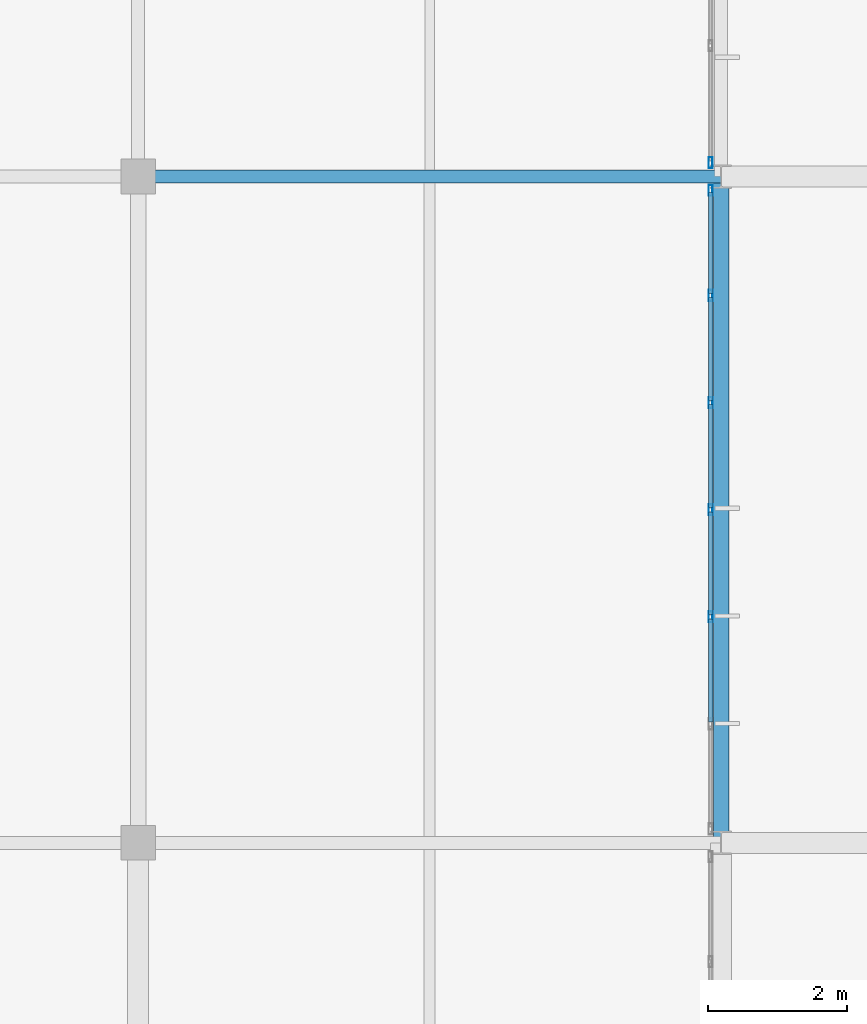
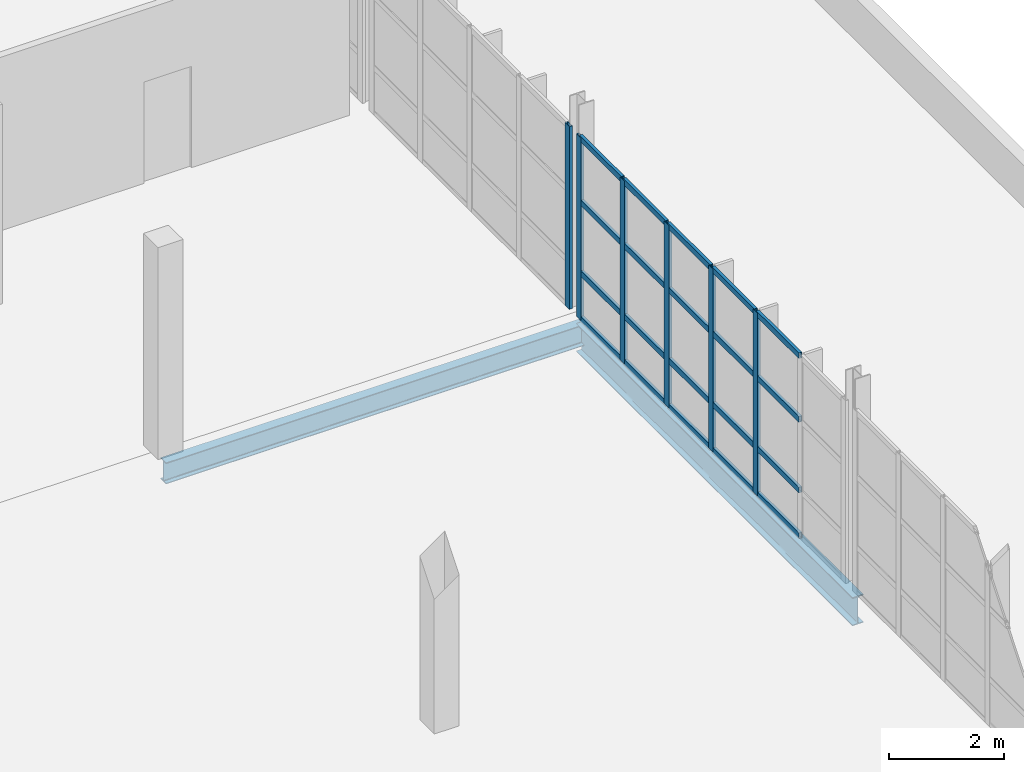
# One storey, part 74 of 103: 26 members, 2 beams, 2 elements without a shape of their own.
"""IFC4 building model written with IfcOpenShell, lengths in metres."""

import ifcopenshell
import ifcopenshell.guid

model = None  # the IFC model being written
_history = None  # IfcOwnerHistory: only IFC2X3 demands one
_inside = {}  # id of a spatial element -> (the spatial element, [elements in it])
_under = {}  # id of a project, library or spatial element -> (it, [spatial elements below it])
_declared = {}  # id of a project -> (the project, [libraries it declares])
_typed = {}  # id of a type object -> (the type object, [elements of that type])
_made_of = {}  # id of a material, layer set ... -> (it, [elements and type objects made of it])


def new_model(schema):
    """Start an empty IFC model of exactly this schema.

    Asked for "IFC4X3", IfcOpenShell would pick the latest addendum, in which some entities
    have other attributes; the version numbers below select the first issue.
    IFC2X3 requires an IfcOwnerHistory on every rooted entity: one is made here for all.
    """
    global model, _history
    if schema == "IFC4X3":
        model = ifcopenshell.file(schema_version=(4, 3, 0, 0))
    else:
        model = ifcopenshell.file(schema=schema)
    _inside.clear()
    _under.clear()
    _declared.clear()
    _typed.clear()
    _made_of.clear()
    _history = None
    if model.schema == "IFC2X3":
        org = make("IfcOrganization", Name="unknown")
        user = make(
            "IfcPersonAndOrganization",
            ThePerson=make("IfcPerson", FamilyName="unknown"),
            TheOrganization=org,
        )
        app = make(
            "IfcApplication",
            ApplicationDeveloper=org,
            Version="unknown",
            ApplicationFullName="unknown",
            ApplicationIdentifier="unknown",
        )
        _history = make(
            "IfcOwnerHistory",
            OwningUser=user,
            OwningApplication=app,
            ChangeAction="ADDED",
            CreationDate=0,
        )
    return model


def make(cls, **values):
    """One entity of the class cls with the attributes given. An attribute that is None is left unset."""
    return model.create_entity(
        cls, **{name: value for name, value in values.items() if value is not None}
    )


def rooted(cls, **values):
    """An entity with a GlobalId (a new one), such as an element, a storey or a relation."""
    return make(cls, GlobalId=ifcopenshell.guid.new(), OwnerHistory=_history, **values)


def si_unit(unit_type, name, prefix=None):
    """IfcSIUnit, for example si_unit("LENGTHUNIT", "METRE", prefix="MILLI")."""
    return make("IfcSIUnit", UnitType=unit_type, Prefix=prefix, Name=name)


def assignment(units):
    """IfcUnitAssignment: the units of a project."""
    return None if units is None else make("IfcUnitAssignment", Units=units)


def point(xyz):
    """IfcCartesianPoint."""
    return None if xyz is None else make("IfcCartesianPoint", Coordinates=xyz)


def direction(xyz):
    """IfcDirection."""
    return None if xyz is None else make("IfcDirection", DirectionRatios=xyz)


def frame(location, z_axis=None, x_axis=None):
    """IfcAxis2Placement3D, a coordinate frame: its origin and axes. An axis left out is left unset."""
    return make(
        "IfcAxis2Placement3D",
        Location=point(location),
        Axis=direction(z_axis),
        RefDirection=direction(x_axis),
    )


def frame_2d(location, x_axis=None):
    """IfcAxis2Placement2D, a coordinate frame in the plane: its origin and x axis."""
    return make(
        "IfcAxis2Placement2D", Location=point(location), RefDirection=direction(x_axis)
    )


def origin():
    """The frame at (0, 0, 0) with its axes left unset."""
    return frame((0.0, 0.0, 0.0))


def origin_2d():
    """The frame at (0, 0) in the plane with its x axis left unset."""
    return frame_2d((0.0, 0.0))


def place(relative_to, where):
    """IfcLocalPlacement: puts the frame where relative to a parent placement (None: the world)."""
    return make(
        "IfcLocalPlacement", PlacementRelTo=relative_to, RelativePlacement=where
    )


def context(
    kind, dimensions, precision=None, world=None, true_north=None, identifier=None
):
    """IfcGeometricRepresentationContext, for example the 3D "Model" context."""
    return make(
        "IfcGeometricRepresentationContext",
        ContextIdentifier=identifier,
        ContextType=kind,
        CoordinateSpaceDimension=dimensions,
        Precision=precision,
        WorldCoordinateSystem=world,
        TrueNorth=true_north,
    )


def subcontext(parent, identifier, kind, view, scale=None):
    """IfcGeometricRepresentationSubContext, for example "Body" below "Model"."""
    return make(
        "IfcGeometricRepresentationSubContext",
        ContextIdentifier=identifier,
        ContextType=kind,
        ParentContext=parent,
        TargetScale=scale,
        TargetView=view,
    )


def project(units=None, contexts=None):
    """IfcProject with its units and contexts."""
    return rooted(
        "IfcProject",
        Name="project",
        RepresentationContexts=contexts,
        UnitsInContext=assignment(units),
    )


def spatial(cls, under=None, at=None, **own):
    """A site, building, storey or space (cls), placed at a placement, below another one or the project."""
    s = rooted(cls, ObjectPlacement=at, **own)
    if under is not None:
        _under.setdefault(under.id(), (under, []))[1].append(s)
    return s


def profile(cls, at=None, kind="AREA", **sizes):
    """A parametric profile (cls). Its sizes go by their IFC names, for example OverallWidth=200.0."""
    return make(cls, ProfileType=kind, Position=at, **sizes)


def hollow_rectangle(**sizes):
    """IfcRectangleHollowProfileDef."""
    return profile("IfcRectangleHollowProfileDef", **sizes)


def i_section(**sizes):
    """IfcIShapeProfileDef."""
    return profile("IfcIShapeProfileDef", **sizes)


def extrude(swept, where, along, depth):
    """IfcExtrudedAreaSolid: the profile swept, set in the frame where, extruded along a direction by depth."""
    return make(
        "IfcExtrudedAreaSolid",
        SweptArea=swept,
        Position=where,
        ExtrudedDirection=direction(along),
        Depth=depth,
    )


def shape(context_of_items, identifier, shape_type, items):
    """IfcShapeRepresentation: the items that make up one representation, for example the "Body"."""
    return make(
        "IfcShapeRepresentation",
        ContextOfItems=context_of_items,
        RepresentationIdentifier=identifier,
        RepresentationType=shape_type,
        Items=items,
    )


def material(Name=None, Category=None):
    """IfcMaterial."""
    return make("IfcMaterial", Name=Name, Category=Category)


def material_profile(
    of_material, cross_section, Name=None, Category=None, Priority=None
):
    """IfcMaterialProfile: a cross section and its material."""
    return make(
        "IfcMaterialProfile",
        Name=Name,
        Material=of_material,
        Profile=cross_section,
        Priority=Priority,
        Category=Category,
    )


def profile_set(profiles, Name=None, composite=None):
    """IfcMaterialProfileSet."""
    return make(
        "IfcMaterialProfileSet",
        Name=Name,
        MaterialProfiles=profiles,
        CompositeProfile=composite,
    )


def made_of(thing, what):
    """Note that an element or type object is made of a material, layer set ...; save() writes the relation."""
    if what is not None:
        _made_of.setdefault(what.id(), (what, []))[1].append(thing)
    return thing


def type_object(cls, material=None, **own):
    """A type object (cls), such as IfcWallType, which elements share."""
    return made_of(rooted(cls, **own), material)


def element(
    cls,
    number,
    at=None,
    inside=None,
    cuts=None,
    type_object=None,
    material=None,
    context=None,
    identifier="Body",
    shape_type=None,
    held_by="IfcProductDefinitionShape",
    body=None,
    shapes=None,
    **own,
):
    """One element of the class cls, such as IfcWall. Its Tag is "e" and its number.

    at: its placement. inside: the storey or other place that contains it. cuts: it is an
    opening in that element (IfcRelVoidsElement). A single representation is given by context,
    identifier, shape_type and body (its items); several are given by shapes. held_by: the class
    of the entity that holds the representations. save() writes the other relations.
    """
    e = rooted(cls, Tag="e%d" % number, ObjectPlacement=at, **own)
    if body is not None:
        shapes = [shape(context, identifier, shape_type, body)]
    if shapes is not None:
        e.Representation = make(held_by, Representations=shapes)
    if inside is not None:
        _inside.setdefault(inside.id(), (inside, []))[1].append(e)
    if cuts is not None:
        rooted(
            "IfcRelVoidsElement", RelatingBuildingElement=cuts, RelatedOpeningElement=e
        )
    if type_object is not None:
        _typed.setdefault(type_object.id(), (type_object, []))[1].append(e)
    return made_of(e, material)


def aggregate(whole, parts):
    """IfcRelAggregates: a whole, such as a stair, and the parts it consists of."""
    return rooted("IfcRelAggregates", RelatingObject=whole, RelatedObjects=parts)


def save(model, path):
    """Write the relations noted so far, then the file.

    IfcRelAggregates (storeys below a building ...), IfcRelContainedInSpatialStructure (elements
    in a storey), IfcRelDefinesByType, IfcRelAssociatesMaterial and IfcRelDeclares: one each for
    every whole, place, type object, material and project.
    """
    for whole, parts in _under.values():
        aggregate(whole, parts)
    for where, things in _inside.values():
        rooted(
            "IfcRelContainedInSpatialStructure",
            RelatedElements=things,
            RelatingStructure=where,
        )
    for kind, things in _typed.values():
        rooted("IfcRelDefinesByType", RelatedObjects=things, RelatingType=kind)
    for what, things in _made_of.values():
        rooted("IfcRelAssociatesMaterial", RelatedObjects=things, RelatingMaterial=what)
    for by, libraries in _declared.values():
        rooted("IfcRelDeclares", RelatingContext=by, RelatedDefinitions=libraries)
    model.write(path)


model = new_model("IFC4")

# Units and contexts
model_context = context("Model", 3, precision=1e-05, world=origin(), true_north=direction((0.0, 1.0)))
body_context = subcontext(model_context, "Body", "Model", "MODEL_VIEW")
ifc_project = project(units=[si_unit("LENGTHUNIT", "METRE"), si_unit("AREAUNIT", "SQUARE_METRE"), si_unit("VOLUMEUNIT", "CUBIC_METRE"), si_unit("PLANEANGLEUNIT", "RADIAN"), si_unit("MASSUNIT", "GRAM", prefix="KILO")], contexts=[model_context])

# Site, building, storey
site_placement = place(None, origin())
site = spatial("IfcSite", under=ifc_project, at=site_placement, CompositionType="ELEMENT")
building_placement = place(site_placement, origin())
building = spatial("IfcBuilding", under=site, at=building_placement, Name="Veltarok Museum of Natural Sciences", CompositionType="ELEMENT")
storey_placement = place(building_placement, frame((0.0, 0.0, 21.89990234375)))
storey = spatial("IfcBuildingStorey", under=building, at=storey_placement, Name="L04", CompositionType="ELEMENT", Elevation=21.89990234375)

# Curtain wall, members
ifc_material_1 = material(Name="Low-iron triple insulated glass", Category="glass")
curtain_wall_type_1 = type_object("IfcCurtainWallType", Name="Curtain Wall System CW-V5E-L04-B-926x388 (V5 East Lab L04 B-C 926x388cm)", PredefinedType="NOTDEFINED", material=ifc_material_1)
curtain_wall_1_placement = place(storey_placement, origin())
curtain_wall_1 = element("IfcCurtainWall", 1, at=curtain_wall_1_placement, inside=storey, type_object=curtain_wall_type_1, Name="Curtain Wall CW-V5E-L04-B-926x388 CW-0121", PredefinedType="NOTDEFINED")
ifc_material_2 = material(Name="Thermally broken anodised aluminium", Category="aluminium")
ifc_material_profile_1 = material_profile(ifc_material_2, hollow_rectangle(XDim=0.06005859375, YDim=0.1201171875, WallThickness=0.0048828125, at=origin_2d()), Name="CW TRANSOM 60x120x5")
ifc_profile_set_1 = profile_set([ifc_material_profile_1], Name="Thermally broken anodised aluminium")
member_type_1 = type_object("IfcMemberType", Name="Curtain Wall Horizontal Transom 60x120x5", PredefinedType="USERDEFINED", material=ifc_profile_set_1)
member_1_placement = place(storey_placement, frame((149.050048828125, 11.34326171875, 0.030029296875), z_axis=(0.0, 1.0, 0.0), x_axis=(-1.0, 0.0, 0.0)))
member_1 = element("IfcMember", 2, at=member_1_placement, type_object=member_type_1, Name="CW-V5E-L04-B-926x388 transom 2.1", ObjectType="TRANSOM", PredefinedType="USERDEFINED", context=body_context, shape_type="SweptSolid", body=[
    extrude(hollow_rectangle(XDim=0.06005859375, YDim=0.1201171875, WallThickness=0.0048828125, at=origin_2d()), origin(), (0.0, 0.0, 1.0), 1.4833984375),
])
member_2_placement = place(storey_placement, frame((149.050048828125, 11.34326171875, 1.0), z_axis=(0.0, 1.0, 0.0), x_axis=(-1.0, 0.0, 0.0)))
member_2 = element("IfcMember", 3, at=member_2_placement, type_object=member_type_1, Name="CW-V5E-L04-B-926x388 transom 2.2", ObjectType="TRANSOM", PredefinedType="USERDEFINED", context=body_context, shape_type="SweptSolid", body=[
    extrude(hollow_rectangle(XDim=0.06005859375, YDim=0.1201171875, WallThickness=0.0048828125, at=origin_2d()), origin(), (0.0, 0.0, 1.0), 1.4833984375),
])
member_3_placement = place(storey_placement, frame((149.050048828125, 11.34326171875, 2.5), z_axis=(0.0, 1.0, 0.0), x_axis=(-1.0, 0.0, 0.0)))
member_3 = element("IfcMember", 4, at=member_3_placement, type_object=member_type_1, Name="CW-V5E-L04-B-926x388 transom 2.3", ObjectType="TRANSOM", PredefinedType="USERDEFINED", context=body_context, shape_type="SweptSolid", body=[
    extrude(hollow_rectangle(XDim=0.06005859375, YDim=0.1201171875, WallThickness=0.0048828125, at=origin_2d()), origin(), (0.0, 0.0, 1.0), 1.4833984375),
])
member_4_placement = place(storey_placement, frame((149.050048828125, 11.34326171875, 3.85009765625), z_axis=(0.0, 1.0, 0.0), x_axis=(-1.0, 0.0, 0.0)))
member_4 = element("IfcMember", 5, at=member_4_placement, type_object=member_type_1, Name="CW-V5E-L04-B-926x388 transom 2.4", ObjectType="TRANSOM", PredefinedType="USERDEFINED", context=body_context, shape_type="SweptSolid", body=[
    extrude(hollow_rectangle(XDim=0.06005859375, YDim=0.1201171875, WallThickness=0.0048828125, at=origin_2d()), origin(), (0.0, 0.0, 1.0), 1.4833984375),
])
member_5_placement = place(storey_placement, frame((149.050048828125, 12.88671875, 0.030029296875), z_axis=(0.0, 1.0, 0.0), x_axis=(-1.0, 0.0, 0.0)))
member_5 = element("IfcMember", 6, at=member_5_placement, type_object=member_type_1, Name="CW-V5E-L04-B-926x388 transom 3.1", ObjectType="TRANSOM", PredefinedType="USERDEFINED", context=body_context, shape_type="SweptSolid", body=[
    extrude(hollow_rectangle(XDim=0.06005859375, YDim=0.1201171875, WallThickness=0.0048828125, at=origin_2d()), origin(), (0.0, 0.0, 1.0), 1.4833984375),
])
member_6_placement = place(storey_placement, frame((149.050048828125, 12.88671875, 1.0), z_axis=(0.0, 1.0, 0.0), x_axis=(-1.0, 0.0, 0.0)))
member_6 = element("IfcMember", 7, at=member_6_placement, type_object=member_type_1, Name="CW-V5E-L04-B-926x388 transom 3.2", ObjectType="TRANSOM", PredefinedType="USERDEFINED", context=body_context, shape_type="SweptSolid", body=[
    extrude(hollow_rectangle(XDim=0.06005859375, YDim=0.1201171875, WallThickness=0.0048828125, at=origin_2d()), origin(), (0.0, 0.0, 1.0), 1.4833984375),
])
member_7_placement = place(storey_placement, frame((149.050048828125, 12.88671875, 2.5), z_axis=(0.0, 1.0, 0.0), x_axis=(-1.0, 0.0, 0.0)))
member_7 = element("IfcMember", 8, at=member_7_placement, type_object=member_type_1, Name="CW-V5E-L04-B-926x388 transom 3.3", ObjectType="TRANSOM", PredefinedType="USERDEFINED", context=body_context, shape_type="SweptSolid", body=[
    extrude(hollow_rectangle(XDim=0.06005859375, YDim=0.1201171875, WallThickness=0.0048828125, at=origin_2d()), origin(), (0.0, 0.0, 1.0), 1.4833984375),
])
member_8_placement = place(storey_placement, frame((149.050048828125, 12.88671875, 3.85009765625), z_axis=(0.0, 1.0, 0.0), x_axis=(-1.0, 0.0, 0.0)))
member_8 = element("IfcMember", 9, at=member_8_placement, type_object=member_type_1, Name="CW-V5E-L04-B-926x388 transom 3.4", ObjectType="TRANSOM", PredefinedType="USERDEFINED", context=body_context, shape_type="SweptSolid", body=[
    extrude(hollow_rectangle(XDim=0.06005859375, YDim=0.1201171875, WallThickness=0.0048828125, at=origin_2d()), origin(), (0.0, 0.0, 1.0), 1.4833984375),
])
member_9_placement = place(storey_placement, frame((149.050048828125, 14.429931640625, 0.030029296875), z_axis=(0.0, 1.0, 0.0), x_axis=(-1.0, 0.0, 0.0)))
member_9 = element("IfcMember", 10, at=member_9_placement, type_object=member_type_1, Name="CW-V5E-L04-B-926x388 transom 4.1", ObjectType="TRANSOM", PredefinedType="USERDEFINED", context=body_context, shape_type="SweptSolid", body=[
    extrude(hollow_rectangle(XDim=0.06005859375, YDim=0.1201171875, WallThickness=0.0048828125, at=origin_2d()), origin(), (0.0, 0.0, 1.0), 1.4833984375),
])
member_10_placement = place(storey_placement, frame((149.050048828125, 14.429931640625, 1.0), z_axis=(0.0, 1.0, 0.0), x_axis=(-1.0, 0.0, 0.0)))
member_10 = element("IfcMember", 11, at=member_10_placement, type_object=member_type_1, Name="CW-V5E-L04-B-926x388 transom 4.2", ObjectType="TRANSOM", PredefinedType="USERDEFINED", context=body_context, shape_type="SweptSolid", body=[
    extrude(hollow_rectangle(XDim=0.06005859375, YDim=0.1201171875, WallThickness=0.0048828125, at=origin_2d()), origin(), (0.0, 0.0, 1.0), 1.4833984375),
])
member_11_placement = place(storey_placement, frame((149.050048828125, 14.429931640625, 2.5), z_axis=(0.0, 1.0, 0.0), x_axis=(-1.0, 0.0, 0.0)))
member_11 = element("IfcMember", 12, at=member_11_placement, type_object=member_type_1, Name="CW-V5E-L04-B-926x388 transom 4.3", ObjectType="TRANSOM", PredefinedType="USERDEFINED", context=body_context, shape_type="SweptSolid", body=[
    extrude(hollow_rectangle(XDim=0.06005859375, YDim=0.1201171875, WallThickness=0.0048828125, at=origin_2d()), origin(), (0.0, 0.0, 1.0), 1.4833984375),
])
member_12_placement = place(storey_placement, frame((149.050048828125, 14.429931640625, 3.85009765625), z_axis=(0.0, 1.0, 0.0), x_axis=(-1.0, 0.0, 0.0)))
member_12 = element("IfcMember", 13, at=member_12_placement, type_object=member_type_1, Name="CW-V5E-L04-B-926x388 transom 4.4", ObjectType="TRANSOM", PredefinedType="USERDEFINED", context=body_context, shape_type="SweptSolid", body=[
    extrude(hollow_rectangle(XDim=0.06005859375, YDim=0.1201171875, WallThickness=0.0048828125, at=origin_2d()), origin(), (0.0, 0.0, 1.0), 1.4833984375),
])
member_13_placement = place(storey_placement, frame((149.050048828125, 15.973388671875, 0.030029296875), z_axis=(0.0, 1.0, 0.0), x_axis=(-1.0, 0.0, 0.0)))
member_13 = element("IfcMember", 14, at=member_13_placement, type_object=member_type_1, Name="CW-V5E-L04-B-926x388 transom 5.1", ObjectType="TRANSOM", PredefinedType="USERDEFINED", context=body_context, shape_type="SweptSolid", body=[
    extrude(hollow_rectangle(XDim=0.06005859375, YDim=0.1201171875, WallThickness=0.0048828125, at=origin_2d()), origin(), (0.0, 0.0, 1.0), 1.4833984375),
])
member_14_placement = place(storey_placement, frame((149.050048828125, 15.973388671875, 1.0), z_axis=(0.0, 1.0, 0.0), x_axis=(-1.0, 0.0, 0.0)))
member_14 = element("IfcMember", 15, at=member_14_placement, type_object=member_type_1, Name="CW-V5E-L04-B-926x388 transom 5.2", ObjectType="TRANSOM", PredefinedType="USERDEFINED", context=body_context, shape_type="SweptSolid", body=[
    extrude(hollow_rectangle(XDim=0.06005859375, YDim=0.1201171875, WallThickness=0.0048828125, at=origin_2d()), origin(), (0.0, 0.0, 1.0), 1.4833984375),
])
member_15_placement = place(storey_placement, frame((149.050048828125, 15.973388671875, 2.5), z_axis=(0.0, 1.0, 0.0), x_axis=(-1.0, 0.0, 0.0)))
member_15 = element("IfcMember", 16, at=member_15_placement, type_object=member_type_1, Name="CW-V5E-L04-B-926x388 transom 5.3", ObjectType="TRANSOM", PredefinedType="USERDEFINED", context=body_context, shape_type="SweptSolid", body=[
    extrude(hollow_rectangle(XDim=0.06005859375, YDim=0.1201171875, WallThickness=0.0048828125, at=origin_2d()), origin(), (0.0, 0.0, 1.0), 1.4833984375),
])
member_16_placement = place(storey_placement, frame((149.050048828125, 15.973388671875, 3.85009765625), z_axis=(0.0, 1.0, 0.0), x_axis=(-1.0, 0.0, 0.0)))
member_16 = element("IfcMember", 17, at=member_16_placement, type_object=member_type_1, Name="CW-V5E-L04-B-926x388 transom 5.4", ObjectType="TRANSOM", PredefinedType="USERDEFINED", context=body_context, shape_type="SweptSolid", body=[
    extrude(hollow_rectangle(XDim=0.06005859375, YDim=0.1201171875, WallThickness=0.0048828125, at=origin_2d()), origin(), (0.0, 0.0, 1.0), 1.4833984375),
])
member_17_placement = place(storey_placement, frame((149.050048828125, 17.5166015625, 0.030029296875), z_axis=(0.0, 1.0, 0.0), x_axis=(-1.0, 0.0, 0.0)))
member_17 = element("IfcMember", 18, at=member_17_placement, type_object=member_type_1, Name="CW-V5E-L04-B-926x388 transom 6.1", ObjectType="TRANSOM", PredefinedType="USERDEFINED", context=body_context, shape_type="SweptSolid", body=[
    extrude(hollow_rectangle(XDim=0.06005859375, YDim=0.1201171875, WallThickness=0.0048828125, at=origin_2d()), origin(), (0.0, 0.0, 1.0), 1.453369140625),
])
member_18_placement = place(storey_placement, frame((149.050048828125, 17.5166015625, 1.0), z_axis=(0.0, 1.0, 0.0), x_axis=(-1.0, 0.0, 0.0)))
member_18 = element("IfcMember", 19, at=member_18_placement, type_object=member_type_1, Name="CW-V5E-L04-B-926x388 transom 6.2", ObjectType="TRANSOM", PredefinedType="USERDEFINED", context=body_context, shape_type="SweptSolid", body=[
    extrude(hollow_rectangle(XDim=0.06005859375, YDim=0.1201171875, WallThickness=0.0048828125, at=origin_2d()), origin(), (0.0, 0.0, 1.0), 1.453369140625),
])
member_19_placement = place(storey_placement, frame((149.050048828125, 17.5166015625, 2.5), z_axis=(0.0, 1.0, 0.0), x_axis=(-1.0, 0.0, 0.0)))
member_19 = element("IfcMember", 20, at=member_19_placement, type_object=member_type_1, Name="CW-V5E-L04-B-926x388 transom 6.3", ObjectType="TRANSOM", PredefinedType="USERDEFINED", context=body_context, shape_type="SweptSolid", body=[
    extrude(hollow_rectangle(XDim=0.06005859375, YDim=0.1201171875, WallThickness=0.0048828125, at=origin_2d()), origin(), (0.0, 0.0, 1.0), 1.453369140625),
])
member_20_placement = place(storey_placement, frame((149.050048828125, 17.5166015625, 3.85009765625), z_axis=(0.0, 1.0, 0.0), x_axis=(-1.0, 0.0, 0.0)))
member_20 = element("IfcMember", 21, at=member_20_placement, type_object=member_type_1, Name="CW-V5E-L04-B-926x388 transom 6.4", ObjectType="TRANSOM", PredefinedType="USERDEFINED", context=body_context, shape_type="SweptSolid", body=[
    extrude(hollow_rectangle(XDim=0.06005859375, YDim=0.1201171875, WallThickness=0.0048828125, at=origin_2d()), origin(), (0.0, 0.0, 1.0), 1.453369140625),
])
ifc_material_profile_2 = material_profile(ifc_material_2, hollow_rectangle(XDim=0.06005859375, YDim=0.159912109375, WallThickness=0.0048828125, at=origin_2d()), Name="CW MULLION 60x160x5")
ifc_profile_set_2 = profile_set([ifc_material_profile_2], Name="Thermally broken anodised aluminium")
member_type_2 = type_object("IfcMemberType", Name="Curtain Wall Vertical Mullion 60x160x5", PredefinedType="MULLION", material=ifc_profile_set_2)
member_21_placement = place(storey_placement, frame((149.050048828125, 12.856689453125, 0.0), z_axis=(0.0, 0.0, 1.0), x_axis=(-1.0, 0.0, 0.0)))
member_21 = element("IfcMember", 22, at=member_21_placement, type_object=member_type_2, Name="CW-V5E-L04-B-926x388 mullion 3", PredefinedType="MULLION", context=body_context, shape_type="SweptSolid", body=[
    extrude(hollow_rectangle(XDim=0.06005859375, YDim=0.159912109375, WallThickness=0.0048828125, at=origin_2d()), origin(), (0.0, 0.0, 1.0), 3.880126953125),
])
member_22_placement = place(storey_placement, frame((149.050048828125, 14.39990234375, 0.0), z_axis=(0.0, 0.0, 1.0), x_axis=(-1.0, 0.0, 0.0)))
member_22 = element("IfcMember", 23, at=member_22_placement, type_object=member_type_2, Name="CW-V5E-L04-B-926x388 mullion 4", PredefinedType="MULLION", context=body_context, shape_type="SweptSolid", body=[
    extrude(hollow_rectangle(XDim=0.06005859375, YDim=0.159912109375, WallThickness=0.0048828125, at=origin_2d()), origin(), (0.0, 0.0, 1.0), 3.880126953125),
])
member_23_placement = place(storey_placement, frame((149.050048828125, 15.943359375, 0.0), z_axis=(0.0, 0.0, 1.0), x_axis=(-1.0, 0.0, 0.0)))
member_23 = element("IfcMember", 24, at=member_23_placement, type_object=member_type_2, Name="CW-V5E-L04-B-926x388 mullion 5", PredefinedType="MULLION", context=body_context, shape_type="SweptSolid", body=[
    extrude(hollow_rectangle(XDim=0.06005859375, YDim=0.159912109375, WallThickness=0.0048828125, at=origin_2d()), origin(), (0.0, 0.0, 1.0), 3.880126953125),
])
member_24_placement = place(storey_placement, frame((149.050048828125, 17.486572265625, 0.0), z_axis=(0.0, 0.0, 1.0), x_axis=(-1.0, 0.0, 0.0)))
member_24 = element("IfcMember", 25, at=member_24_placement, type_object=member_type_2, Name="CW-V5E-L04-B-926x388 mullion 6", PredefinedType="MULLION", context=body_context, shape_type="SweptSolid", body=[
    extrude(hollow_rectangle(XDim=0.06005859375, YDim=0.159912109375, WallThickness=0.0048828125, at=origin_2d()), origin(), (0.0, 0.0, 1.0), 3.880126953125),
])
member_25_placement = place(storey_placement, frame((149.050048828125, 19.0, 0.0), z_axis=(0.0, 0.0, 1.0), x_axis=(-1.0, 0.0, 0.0)))
member_25 = element("IfcMember", 26, at=member_25_placement, type_object=member_type_2, Name="CW-V5E-L04-B-926x388 mullion 7", PredefinedType="MULLION", context=body_context, shape_type="SweptSolid", body=[
    extrude(hollow_rectangle(XDim=0.06005859375, YDim=0.159912109375, WallThickness=0.0048828125, at=origin_2d()), origin(), (0.0, 0.0, 1.0), 3.880126953125),
])
aggregate(curtain_wall_1, [member_21, member_22, member_23, member_24, member_25, member_1, member_2, member_3, member_4, member_5, member_6, member_7, member_8, member_9, member_10, member_11, member_12, member_13, member_14, member_15, member_16, member_17, member_18, member_19, member_20])

# Curtain wall, member
curtain_wall_type_2 = type_object("IfcCurtainWallType", Name="Curtain Wall System CW-V5E-L04-C-686x388 (V5 East Lab L04 C-D 686x388cm)", PredefinedType="NOTDEFINED", material=ifc_material_1)
curtain_wall_2_placement = place(storey_placement, origin())
curtain_wall_2 = element("IfcCurtainWall", 27, at=curtain_wall_2_placement, inside=storey, type_object=curtain_wall_type_2, Name="Curtain Wall CW-V5E-L04-C-686x388 CW-0122", PredefinedType="NOTDEFINED")
member_26_placement = place(storey_placement, frame((149.050048828125, 19.39990234375, 0.0), z_axis=(0.0, 0.0, 1.0), x_axis=(-1.0, 0.0, 0.0)))
member_26 = element("IfcMember", 28, at=member_26_placement, type_object=member_type_2, Name="CW-V5E-L04-C-686x388 mullion 1", PredefinedType="MULLION", context=body_context, shape_type="SweptSolid", body=[
    extrude(hollow_rectangle(XDim=0.06005859375, YDim=0.159912109375, WallThickness=0.0048828125, at=origin_2d()), origin(), (0.0, 0.0, 1.0), 3.880126953125),
])
aggregate(curtain_wall_2, [member_26])

# Beams
ifc_material_3 = material(Name="Steel S355J2", Category="steel")
ifc_material_profile_3 = material_profile(ifc_material_3, i_section(OverallWidth=0.18994140625, OverallDepth=0.449951171875, WebThickness=0.009521484375, FlangeThickness=0.0146484375, FilletRadius=0.02099609375, at=origin_2d()), Name="IPE 450")
ifc_profile_set_3 = profile_set([ifc_material_profile_3], Name="Steel S355J2")
beam_type_1 = type_object("IfcBeamType", Name="Laboratory Floor Girder IPE 450", PredefinedType="BEAM", material=ifc_profile_set_3)
beam_1_placement = place(storey_placement, frame((140.800048828125, 19.199951171875, -0.474853515625), z_axis=(1.0, 0.0, 0.0), x_axis=(0.0, 1.0, 0.0)))
element("IfcBeam", 29, at=beam_1_placement, inside=storey, type_object=beam_type_1, Name="Beam BM-G05 L04 17-18/C", PredefinedType="BEAM", context=body_context, shape_type="SweptSolid", body=[
    extrude(i_section(OverallWidth=0.18994140625, OverallDepth=0.449951171875, WebThickness=0.009521484375, FlangeThickness=0.0146484375, FilletRadius=0.02099609375, at=origin_2d()), origin(), (0.0, 0.0, 1.0), 8.39990234375),
])
ifc_material_profile_4 = material_profile(ifc_material_3, i_section(OverallWidth=0.219970703125, OverallDepth=0.60009765625, WebThickness=0.011962890625, FlangeThickness=0.01904296875, FilletRadius=0.02392578125, at=origin_2d()), Name="IPE 600")
ifc_profile_set_4 = profile_set([ifc_material_profile_4], Name="Steel S355J2")
beam_type_2 = type_object("IfcBeamType", Name="Primary Museum Girder IPE 600", PredefinedType="BEAM", material=ifc_profile_set_4)
beam_2_placement = place(storey_placement, frame((149.199951171875, 9.60009765625, -0.5498046875), z_axis=(0.0, 1.0, 0.0), x_axis=(-1.0, 0.0, 0.0)))
element("IfcBeam", 30, at=beam_2_placement, inside=storey, type_object=beam_type_2, Name="Beam BM-G02 L04 18/B-C", PredefinedType="BEAM", context=body_context, shape_type="SweptSolid", body=[
    extrude(i_section(OverallWidth=0.219970703125, OverallDepth=0.60009765625, WebThickness=0.011962890625, FlangeThickness=0.01904296875, FilletRadius=0.02392578125, at=origin_2d()), origin(), (0.0, 0.0, 1.0), 9.599853515625),
])

save(model, "model.ifc")
